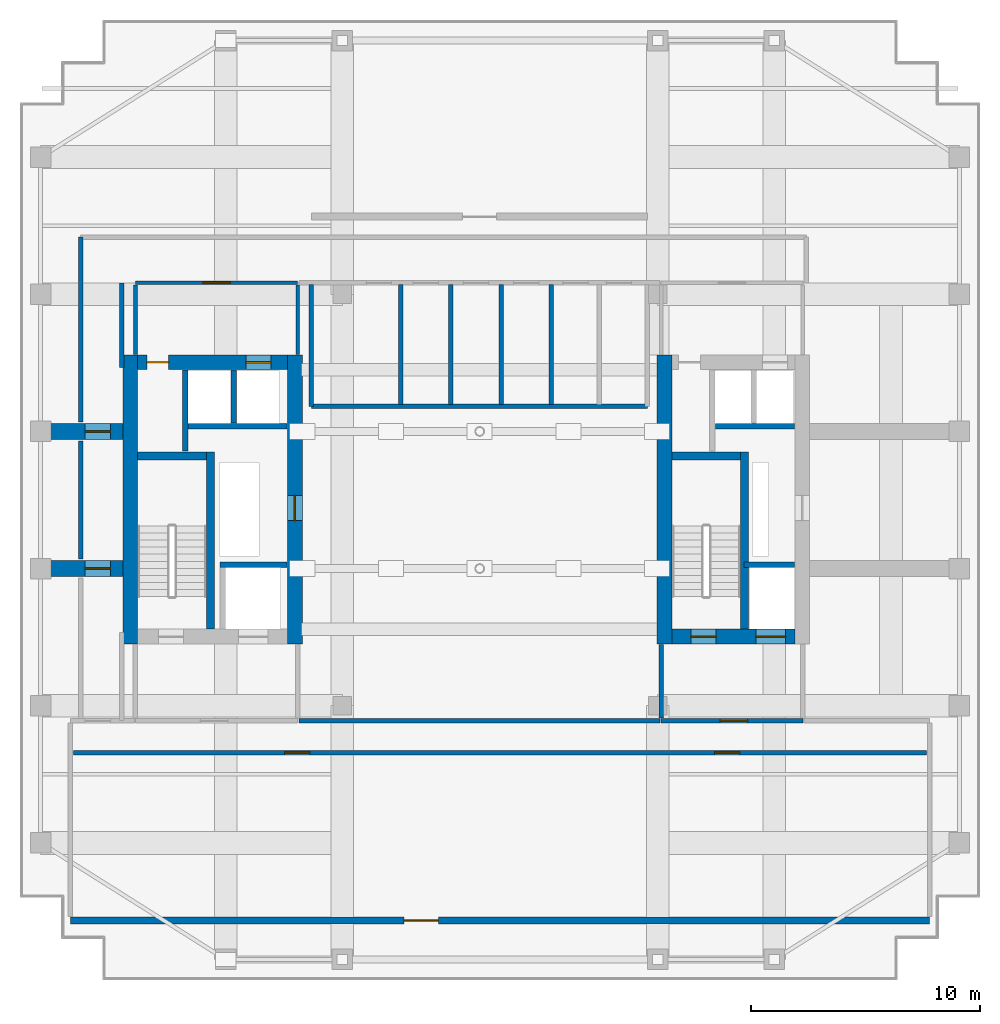
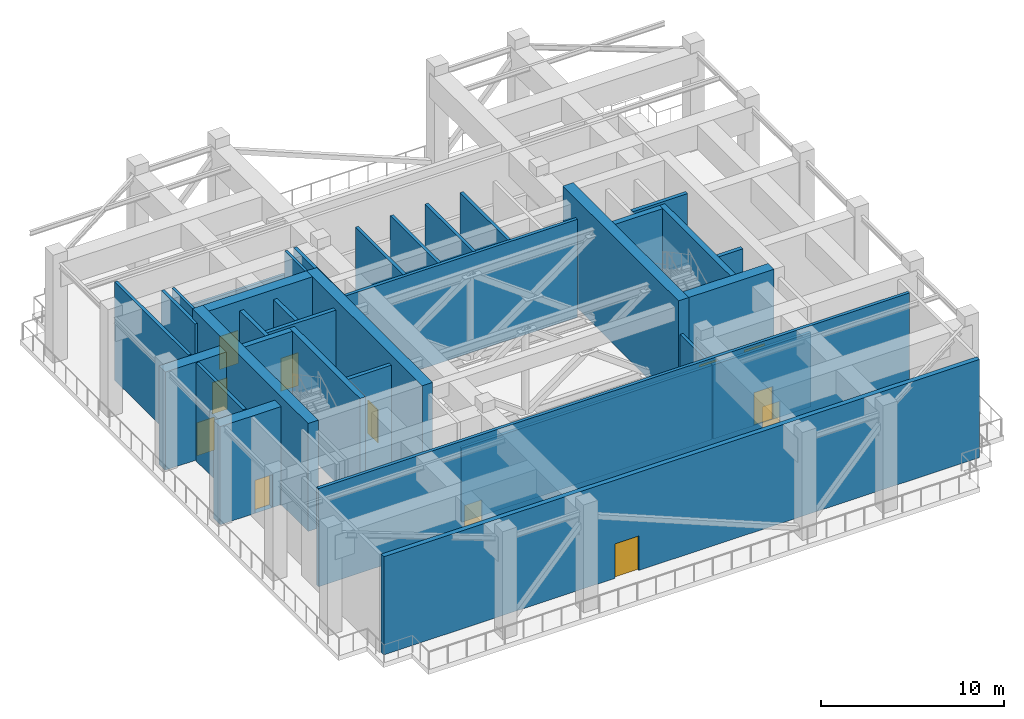
# One storey, part 4 of 9: 34 walls, 12 doors, 12 openings.
"""IFC4 building model written with IfcOpenShell, lengths in metres."""

from ifc_helpers import new_model, si_unit, direction, frame, frame_2d, origin, place, context, subcontext, project, spatial, rectangle, extrude, source, transform, mapped, material, layer, layer_set, type_object, element, fill, save


model = new_model("IFC4")

# Units and contexts
model_context = context("Model", 3, precision=1e-05, world=origin(), true_north=direction((0.0, 1.0)))
body_context = subcontext(model_context, "Body", "Model", "MODEL_VIEW")
ifc_project = project(units=[si_unit("LENGTHUNIT", "METRE"), si_unit("AREAUNIT", "SQUARE_METRE"), si_unit("VOLUMEUNIT", "CUBIC_METRE"), si_unit("PLANEANGLEUNIT", "RADIAN"), si_unit("MASSUNIT", "GRAM", prefix="KILO")], contexts=[model_context])

# Site, building, storey
site_placement = place(None, origin())
site = spatial("IfcSite", under=ifc_project, at=site_placement, CompositionType="ELEMENT")
building_placement = place(site_placement, origin())
building = spatial("IfcBuilding", under=site, at=building_placement, Name="Khoralis Quay Care Tower", CompositionType="ELEMENT")
storey_placement = place(building_placement, frame((0.0, 0.0, 220.5)))
storey = spatial("IfcBuildingStorey", under=building, at=storey_placement, Name="L58", CompositionType="ELEMENT", Elevation=220.5)

# Wall, opening, door
ifc_material_1 = material(Name="Gypsum plasterboard on acoustic metal stud")
ifc_layer_1 = layer(ifc_material_1, 0.199951171875)
ifc_layer_set_1 = layer_set([ifc_layer_1], Name="Gypsum plasterboard on acoustic metal stud")
wall_type_1 = type_object("IfcWallType", Name="WL-COMP-200", PredefinedType="PARTITIONING", material=ifc_layer_set_1)
wall_1_placement = place(storey_placement, frame((31.050048828125, 11.35009765625, 0.0), z_axis=(0.0, 0.0, 1.0), x_axis=(1.0, 0.0, 0.0)))
wall_1 = element("IfcWall", 1, at=wall_1_placement, inside=storey, type_object=wall_type_1, Name="L58 East Firefighting Lobby South Wall", PredefinedType="PARTITIONING", context=body_context, shape_type="SweptSolid", body=[
    extrude(rectangle(XDim=6.199951171875, YDim=0.199951171875, at=frame_2d((3.10009765625, 0.0))), origin(), (0.0, 0.0, 1.0), 4.949951171875),
])
opening_1_placement = place(wall_1_placement, frame((2.585693359375, 0.0, 0.0)))
opening_1 = element("IfcOpeningElement", 2, at=opening_1_placement, cuts=wall_1, Name="Opening FD1", PredefinedType="OPENING", context=body_context, shape_type="SweptSolid", body=[
    extrude(rectangle(XDim=1.199951171875, YDim=2.199951171875, at=frame_2d((0.60009765625, 1.10009765625))), frame((0.0, 0.10986328125, 0.0), z_axis=(0.0, -1.0, 0.0), x_axis=(1.0, 0.0, 0.0)), (0.0, 0.0, 1.0), 0.219970703125),
])
ifc_material_2 = material(Name="Fire-rated painted steel", Category="steel")
door_type_1 = type_object("IfcDoorType", Name="DR-FFL-1200X2200", OperationType="NOTDEFINED", PredefinedType="DOOR", material=ifc_material_2)
shared_shape_1 = source(origin(), body_context, "Body", "SweptSolid", [
    extrude(rectangle(XDim=1.199951171875, YDim=2.199951171875, at=frame_2d((0.60009765625, 1.10009765625))), frame((0.0, 0.02490234375, 0.0), z_axis=(0.0, -1.0, 0.0), x_axis=(1.0, 0.0, 0.0)), (0.0, 0.0, 1.0), 0.050048828125),
])
door_1_placement = place(opening_1_placement, origin())
door_1 = element("IfcDoor", 3, at=door_1_placement, inside=storey, type_object=door_type_1, Name="L58 East Firefighting Lobby Fire Door", OperationType="SINGLE_SWING_LEFT", OverallHeight=2.199951171875, OverallWidth=1.199951171875, PredefinedType="DOOR", context=body_context, shape_type="MappedRepresentation", body=[
    mapped(shared_shape_1, transform((0.0, 0.0, 0.0), scale=1.0)),
])
fill(opening_1, door_1)

# Walls
wall_2_placement = place(storey_placement, frame((31.050048828125, 11.469970703125, 0.0), z_axis=(0.0, 0.0, 1.0), x_axis=(0.0, 1.0, 0.0)))
element("IfcWall", 4, at=wall_2_placement, inside=storey, type_object=wall_type_1, Name="L58 East Firefighting Lobby West Wall", PredefinedType="PARTITIONING", context=body_context, shape_type="SweptSolid", body=[
    extrude(rectangle(XDim=3.2099609375, YDim=0.199951171875, at=frame_2d((1.60498046875, 0.0))), origin(), (0.0, 0.0, 1.0), 4.949951171875),
])
wall_3_placement = place(storey_placement, frame((15.199951171875, 11.35009765625, 0.0), z_axis=(0.0, 0.0, 1.0), x_axis=(1.0, 0.0, 0.0)))
element("IfcWall", 5, at=wall_3_placement, inside=storey, type_object=wall_type_1, Name="L58 Refuge Corridor Mid Wall", PredefinedType="PARTITIONING", context=body_context, shape_type="SweptSolid", body=[
    extrude(rectangle(XDim=15.800048828125, YDim=0.199951171875, at=frame_2d((7.89990234375, 0.0))), origin(), (0.0, 0.0, 1.0), 4.949951171875),
])

# Wall, openings, doors
wall_4_placement = place(storey_placement, frame((5.35009765625, 9.949951171875, 0.0), z_axis=(0.0, 0.0, 1.0), x_axis=(1.0, 0.0, 0.0)))
wall_4 = element("IfcWall", 6, at=wall_4_placement, inside=storey, type_object=wall_type_1, Name="L58 Refuge Corridor Wall", PredefinedType="PARTITIONING", context=body_context, shape_type="SweptSolid", body=[
    extrude(rectangle(XDim=37.2998046875, YDim=0.199951171875, at=frame_2d((18.64990234375, 0.0))), origin(), (0.0, 0.0, 1.0), 6.550048828125),
])
opening_2_placement = place(wall_4_placement, frame((9.22998046875, 0.0, 0.0)))
opening_2 = element("IfcOpeningElement", 7, at=opening_2_placement, cuts=wall_4, Name="Opening SD1", PredefinedType="OPENING", context=body_context, shape_type="SweptSolid", body=[
    extrude(rectangle(XDim=1.10009765625, YDim=2.199951171875, at=frame_2d((0.550048828125, 1.10009765625))), frame((0.0, 0.10986328125, 0.0), z_axis=(0.0, -1.0, 0.0), x_axis=(1.0, 0.0, 0.0)), (0.0, 0.0, 1.0), 0.219970703125),
])
opening_3_placement = place(wall_4_placement, frame((28.034423828125, 0.0, 0.0)))
opening_3 = element("IfcOpeningElement", 8, at=opening_3_placement, cuts=wall_4, Name="Opening SD1", PredefinedType="OPENING", context=body_context, shape_type="SweptSolid", body=[
    extrude(rectangle(XDim=1.10009765625, YDim=2.199951171875, at=frame_2d((0.550048828125, 1.10009765625))), frame((0.0, 0.10986328125, 0.0), z_axis=(0.0, -1.0, 0.0), x_axis=(1.0, 0.0, 0.0)), (0.0, 0.0, 1.0), 0.219970703125),
])
door_type_2 = type_object("IfcDoorType", Name="DR-STAIR-1100X2200", OperationType="NOTDEFINED", PredefinedType="DOOR", material=ifc_material_2)
shared_shape_2 = source(origin(), body_context, "Body", "SweptSolid", [
    extrude(rectangle(XDim=1.10009765625, YDim=2.199951171875, at=frame_2d((0.550048828125, 1.10009765625))), frame((0.0, 0.02490234375, 0.0), z_axis=(0.0, -1.0, 0.0), x_axis=(1.0, 0.0, 0.0)), (0.0, 0.0, 1.0), 0.050048828125),
])
door_2_placement = place(opening_2_placement, frame((1.10009765625, 0.0, 0.0), z_axis=(0.0, 0.0, 1.0), x_axis=(-1.0, 0.0, 0.0)))
door_2 = element("IfcDoor", 9, at=door_2_placement, inside=storey, type_object=door_type_2, Name="L58 Refuge Area West Fire Door", OperationType="SINGLE_SWING_LEFT", OverallHeight=2.199951171875, OverallWidth=1.10009765625, PredefinedType="DOOR", context=body_context, shape_type="MappedRepresentation", body=[
    mapped(shared_shape_2, transform((0.0, 0.0, 0.0), scale=1.0)),
])
fill(opening_2, door_2)
door_3_placement = place(opening_3_placement, frame((1.10009765625, 0.0, 0.0), z_axis=(0.0, 0.0, 1.0), x_axis=(-1.0, 0.0, 0.0)))
door_3 = element("IfcDoor", 10, at=door_3_placement, inside=storey, type_object=door_type_2, Name="L58 Refuge Area East Fire Door", OperationType="SINGLE_SWING_RIGHT", OverallHeight=2.199951171875, OverallWidth=1.10009765625, PredefinedType="DOOR", context=body_context, shape_type="MappedRepresentation", body=[
    mapped(shared_shape_2, transform((0.0, 0.0, 0.0), scale=1.0)),
])
fill(opening_3, door_3)

# Walls
wall_5_placement = place(storey_placement, frame((15.75, 25.10009765625, 0.0), z_axis=(0.0, 0.0, 1.0), x_axis=(1.0, 0.0, 0.0)))
element("IfcWall", 11, at=wall_5_placement, inside=storey, type_object=wall_type_1, Name="L58 Plant Bank South Wall", PredefinedType="PARTITIONING", context=body_context, shape_type="SweptSolid", body=[
    extrude(rectangle(XDim=14.699951171875, YDim=0.199951171875, at=frame_2d((7.35009765625, 0.0))), origin(), (0.0, 0.0, 1.0), 6.550048828125),
])
wall_6_placement = place(storey_placement, frame((15.75, 25.10009765625, 0.0), z_axis=(0.0, 0.0, 1.0), x_axis=(0.0, 1.0, 0.0)))
element("IfcWall", 12, at=wall_6_placement, inside=storey, type_object=wall_type_1, Name="L58 Plant Bank West Wall", PredefinedType="PARTITIONING", context=body_context, shape_type="SweptSolid", body=[
    extrude(rectangle(XDim=5.31982421875, YDim=0.199951171875, at=frame_2d((2.659912109375, 0.0))), origin(), (0.0, 0.0, 1.0), 6.550048828125),
])
for number, where, z_axis, x_axis, name in (
    (13, (19.64990234375, 25.179931640625, 0.0), (0.0, 0.0, 1.0), (0.0, 1.0, 0.0), "L58 Plant Room Divider 1"),
    (14, (21.85009765625, 25.179931640625, 0.0), (0.0, 0.0, 1.0), (0.0, 1.0, 0.0), "L58 Plant Room Divider 2"),
    (15, (24.050048828125, 25.179931640625, 0.0), (0.0, 0.0, 1.0), (0.0, 1.0, 0.0), "L58 Plant Room Divider 3"),
    (16, (26.25, 25.179931640625, 0.0), (0.0, 0.0, 1.0), (0.0, 1.0, 0.0), "L58 Plant Room Divider 4"),
):
    element("IfcWall", number, at=place(storey_placement, frame(where, z_axis=z_axis, x_axis=x_axis)), inside=storey, type_object=wall_type_1, Name=name, PredefinedType="PARTITIONING", context=body_context, shape_type="SweptSolid", body=[
        extrude(rectangle(XDim=5.239990234375, YDim=0.199951171875, at=frame_2d((2.6201171875, 0.0))), origin(), (0.0, 0.0, 1.0), 6.550048828125),
    ])
wall_7_placement = place(storey_placement, frame((5.64990234375, 18.419921875, 0.0), z_axis=(0.0, 0.0, 1.0), x_axis=(0.0, 1.0, 0.0)))
element("IfcWall", 17, at=wall_7_placement, inside=storey, type_object=wall_type_1, Name="L58 West Refuge Link Wall 2", PredefinedType="PARTITIONING", context=body_context, shape_type="SweptSolid", body=[
    extrude(rectangle(XDim=5.16015625, YDim=0.199951171875, at=frame_2d((2.580078125, 0.0))), origin(), (0.0, 0.0, 1.0), 6.550048828125),
])
wall_8_placement = place(storey_placement, frame((5.64990234375, 24.419921875, 0.0), z_axis=(0.0, 0.0, 1.0), x_axis=(0.0, 1.0, 0.0)))
element("IfcWall", 18, at=wall_8_placement, inside=storey, type_object=wall_type_1, Name="L58 West Refuge Link Wall 3", PredefinedType="PARTITIONING", context=body_context, shape_type="SweptSolid", body=[
    extrude(rectangle(XDim=8.080078125, YDim=0.199951171875, at=frame_2d((4.0400390625, 0.0))), origin(), (0.0, 0.0, 1.0), 6.550048828125),
])
wall_9_placement = place(storey_placement, frame((7.449951171875, 26.800048828125, 0.0), z_axis=(0.0, 0.0, 1.0), x_axis=(0.0, 1.0, 0.0)))
element("IfcWall", 19, at=wall_9_placement, inside=storey, type_object=wall_type_1, Name="L58 West Refuge Link Inner Wall 3", PredefinedType="PARTITIONING", context=body_context, shape_type="SweptSolid", body=[
    extrude(rectangle(XDim=3.699951171875, YDim=0.199951171875, at=frame_2d((1.85009765625, 0.0))), origin(), (0.0, 0.0, 1.0), 6.550048828125),
])
ifc_material_3 = material(Name="Concrete C65/80", Category="concrete")
ifc_layer_2 = layer(ifc_material_3, 0.64990234375)
ifc_layer_set_2 = layer_set([ifc_layer_2], Name="Concrete C65/80")
wall_type_2 = type_object("IfcWallType", Name="WL-CORE-650", PredefinedType="SHEAR", material=ifc_layer_set_2)
wall_10_placement = place(storey_placement, frame((7.824951171875, 14.699951171875, 0.0), z_axis=(0.0, 0.0, 1.0), x_axis=(0.0, 1.0, 0.0)))
element("IfcWall", 20, at=wall_10_placement, inside=storey, type_object=wall_type_2, Name="L58 WCORE West Shear Wall", PredefinedType="SHEAR", context=body_context, shape_type="SweptSolid", body=[
    extrude(rectangle(XDim=12.650146484375, YDim=0.64990234375, at=frame_2d((6.3251953125, 0.0))), origin(), (0.0, 0.0, 1.0), 7.199951171875),
])

# Wall, opening, door
wall_11_placement = place(storey_placement, frame((15.02490234375, 14.699951171875, 0.0), z_axis=(0.0, 0.0, 1.0), x_axis=(0.0, 1.0, 0.0)))
wall_11 = element("IfcWall", 21, at=wall_11_placement, inside=storey, type_object=wall_type_2, Name="L58 WCORE East Shear Wall", PredefinedType="SHEAR", context=body_context, shape_type="SweptSolid", body=[
    extrude(rectangle(XDim=12.650146484375, YDim=0.64990234375, at=frame_2d((6.3251953125, 0.0))), origin(), (0.0, 0.0, 1.0), 7.199951171875),
])
opening_4_placement = place(wall_11_placement, frame((5.39990234375, 0.0, 0.0)))
opening_4 = element("IfcOpeningElement", 22, at=opening_4_placement, cuts=wall_11, Name="Opening SD1", PredefinedType="OPENING", context=body_context, shape_type="SweptSolid", body=[
    extrude(rectangle(XDim=1.10009765625, YDim=2.199951171875, at=frame_2d((0.550048828125, 1.10009765625))), frame((0.0, 0.3349609375, 0.0), z_axis=(0.0, -1.0, 0.0), x_axis=(1.0, 0.0, 0.0)), (0.0, 0.0, 1.0), 0.669921875),
])
door_4_placement = place(opening_4_placement, origin())
door_4 = element("IfcDoor", 23, at=door_4_placement, inside=storey, type_object=door_type_2, Name="L58 West MEP Riser Door", OperationType="SINGLE_SWING_RIGHT", OverallHeight=2.199951171875, OverallWidth=1.10009765625, PredefinedType="DOOR", context=body_context, shape_type="MappedRepresentation", body=[
    mapped(shared_shape_2, transform((0.0, 0.0, 0.0), scale=1.0)),
])
fill(opening_4, door_4)

# Wall, openings, doors
wall_12_placement = place(storey_placement, frame((8.14990234375, 27.02490234375, 0.0), z_axis=(0.0, 0.0, 1.0), x_axis=(1.0, 0.0, 0.0)))
wall_12 = element("IfcWall", 24, at=wall_12_placement, inside=storey, type_object=wall_type_2, Name="L58 WCORE North Shear Wall", PredefinedType="SHEAR", context=body_context, shape_type="SweptSolid", body=[
    extrude(rectangle(XDim=6.550048828125, YDim=0.64990234375, at=frame_2d((3.27490234375, 0.0))), origin(), (0.0, 0.0, 1.0), 7.199951171875),
])
opening_5_placement = place(wall_12_placement, frame((0.39990234375, 0.0, 0.0)))
opening_5 = element("IfcOpeningElement", 25, at=opening_5_placement, cuts=wall_12, Name="Opening ID1", PredefinedType="OPENING", context=body_context, shape_type="SweptSolid", body=[
    extrude(rectangle(XDim=0.949951171875, YDim=2.10009765625, at=frame_2d((0.47509765625, 1.050048828125))), frame((0.0, 0.3349609375, 0.0), z_axis=(0.0, -1.0, 0.0), x_axis=(1.0, 0.0, 0.0)), (0.0, 0.0, 1.0), 0.669921875),
])
opening_6_placement = place(wall_12_placement, frame((4.72998046875, 0.0, 0.0)))
opening_6 = element("IfcOpeningElement", 26, at=opening_6_placement, cuts=wall_12, Name="Opening LD1", PredefinedType="OPENING", context=body_context, shape_type="SweptSolid", body=[
    extrude(rectangle(XDim=1.10009765625, YDim=2.199951171875, at=frame_2d((0.550048828125, 1.10009765625))), frame((0.0, 0.3349609375, 0.0), z_axis=(0.0, -1.0, 0.0), x_axis=(1.0, 0.0, 0.0)), (0.0, 0.0, 1.0), 0.669921875),
])
ifc_material_4 = material(Name="Brushed stainless steel", Category="steel")
door_type_3 = type_object("IfcDoorType", Name="DR-LIFT-1100X2200", OperationType="SLIDING_TO_LEFT", PredefinedType="DOOR", material=ifc_material_4)
shared_shape_3 = source(origin(), body_context, "Body", "SweptSolid", [
    extrude(rectangle(XDim=1.10009765625, YDim=2.199951171875, at=frame_2d((0.550048828125, 1.10009765625))), frame((0.0, 0.02490234375, 0.0), z_axis=(0.0, -1.0, 0.0), x_axis=(1.0, 0.0, 0.0)), (0.0, 0.0, 1.0), 0.050048828125),
])
door_5_placement = place(opening_6_placement, origin())
door_5 = element("IfcDoor", 27, at=door_5_placement, inside=storey, type_object=door_type_3, Name="L58 Lift PLH1 Landing Door", OperationType="SLIDING_TO_LEFT", OverallHeight=2.199951171875, OverallWidth=1.10009765625, PredefinedType="DOOR", context=body_context, shape_type="MappedRepresentation", body=[
    mapped(shared_shape_3, transform((0.0, 0.0, 0.0), scale=1.0)),
])
fill(opening_6, door_5)
ifc_material_5 = material(Name="Acoustic hardwood timber", Category="wood")
door_type_4 = type_object("IfcDoorType", Name="DR-ROOM-950X2100", OperationType="NOTDEFINED", PredefinedType="DOOR", material=ifc_material_5)
shared_shape_4 = source(origin(), body_context, "Body", "SweptSolid", [
    extrude(rectangle(XDim=0.949951171875, YDim=2.10009765625, at=frame_2d((0.47509765625, 1.050048828125))), frame((0.0, 0.02490234375, 0.0), z_axis=(0.0, -1.0, 0.0), x_axis=(1.0, 0.0, 0.0)), (0.0, 0.0, 1.0), 0.050048828125),
])
door_6_placement = place(opening_5_placement, frame((0.949951171875, 0.0, 0.0), z_axis=(0.0, 0.0, 1.0), x_axis=(-1.0, 0.0, 0.0)))
door_6 = element("IfcDoor", 28, at=door_6_placement, inside=storey, type_object=door_type_4, Name="L58 Medication Room Door", OperationType="SINGLE_SWING_RIGHT", OverallHeight=2.10009765625, OverallWidth=0.949951171875, PredefinedType="DOOR", context=body_context, shape_type="MappedRepresentation", body=[
    mapped(shared_shape_4, transform((0.0, 0.0, 0.0), scale=1.0)),
])
fill(opening_5, door_6)

# Wall
wall_13_placement = place(storey_placement, frame((31.195068359375, 14.699951171875, 0.0), z_axis=(0.0, 0.0, 1.0), x_axis=(0.0, 1.0, 0.0)))
element("IfcWall", 29, at=wall_13_placement, inside=storey, type_object=wall_type_2, Name="L58 ECORE West Shear Wall", PredefinedType="SHEAR", context=body_context, shape_type="SweptSolid", body=[
    extrude(rectangle(XDim=12.650146484375, YDim=0.64990234375, at=frame_2d((6.3251953125, 0.0))), origin(), (0.0, 0.0, 1.0), 7.199951171875),
])

# Wall, openings, doors
wall_14_placement = place(storey_placement, frame((31.52001953125, 15.02490234375, 0.0), z_axis=(0.0, 0.0, 1.0), x_axis=(1.0, 0.0, 0.0)))
wall_14 = element("IfcWall", 30, at=wall_14_placement, inside=storey, type_object=wall_type_2, Name="L58 ECORE South Shear Wall", PredefinedType="SHEAR", context=body_context, shape_type="SweptSolid", body=[
    extrude(rectangle(XDim=5.3798828125, YDim=0.64990234375, at=frame_2d((2.68994140625, 0.0))), origin(), (0.0, 0.0, 1.0), 7.199951171875),
])
opening_7_placement = place(wall_14_placement, frame((0.830078125, 0.0, 0.0)))
opening_7 = element("IfcOpeningElement", 31, at=opening_7_placement, cuts=wall_14, Name="Opening SD1", PredefinedType="OPENING", context=body_context, shape_type="SweptSolid", body=[
    extrude(rectangle(XDim=1.10009765625, YDim=2.199951171875, at=frame_2d((0.550048828125, 1.10009765625))), frame((0.0, 0.3349609375, 0.0), z_axis=(0.0, -1.0, 0.0), x_axis=(1.0, 0.0, 0.0)), (0.0, 0.0, 1.0), 0.669921875),
])
opening_8_placement = place(wall_14_placement, frame((3.679931640625, 0.0, 0.0)))
opening_8 = element("IfcOpeningElement", 32, at=opening_8_placement, cuts=wall_14, Name="Opening LD2", PredefinedType="OPENING", context=body_context, shape_type="SweptSolid", body=[
    extrude(rectangle(XDim=1.300048828125, YDim=2.199951171875, at=frame_2d((0.64990234375, 1.10009765625))), frame((0.0, 0.3349609375, 0.0), z_axis=(0.0, -1.0, 0.0), x_axis=(1.0, 0.0, 0.0)), (0.0, 0.0, 1.0), 0.669921875),
])
door_7_placement = place(opening_7_placement, origin())
door_7 = element("IfcDoor", 33, at=door_7_placement, inside=storey, type_object=door_type_2, Name="L58 Stair ST-T2 Fire Door", OperationType="SINGLE_SWING_LEFT", OverallHeight=2.199951171875, OverallWidth=1.10009765625, PredefinedType="DOOR", context=body_context, shape_type="MappedRepresentation", body=[
    mapped(shared_shape_2, transform((0.0, 0.0, 0.0), scale=1.0)),
])
fill(opening_7, door_7)
door_type_5 = type_object("IfcDoorType", Name="DR-LIFT-1300X2200", OperationType="SLIDING_TO_RIGHT", PredefinedType="DOOR", material=ifc_material_4)
shared_shape_5 = source(origin(), body_context, "Body", "SweptSolid", [
    extrude(rectangle(XDim=1.300048828125, YDim=2.199951171875, at=frame_2d((0.64990234375, 1.10009765625))), frame((0.0, 0.02490234375, 0.0), z_axis=(0.0, -1.0, 0.0), x_axis=(1.0, 0.0, 0.0)), (0.0, 0.0, 1.0), 0.050048828125),
])
door_8_placement = place(opening_8_placement, origin())
door_8 = element("IfcDoor", 34, at=door_8_placement, inside=storey, type_object=door_type_5, Name="L58 Firefighting Lift FFL-2 Landing Door", OperationType="SLIDING_TO_RIGHT", OverallHeight=2.199951171875, OverallWidth=1.300048828125, PredefinedType="DOOR", context=body_context, shape_type="MappedRepresentation", body=[
    mapped(shared_shape_5, transform((0.0, 0.0, 0.0), scale=1.0)),
])
fill(opening_8, door_8)

# Wall, opening, door
ifc_layer_3 = layer(ifc_material_1, 0.1650390625)
ifc_layer_set_3 = layer_set([ifc_layer_3], Name="Gypsum plasterboard on acoustic metal stud")
wall_type_3 = type_object("IfcWallType", Name="WL-CORR-165", PredefinedType="PARTITIONING", material=ifc_layer_set_3)
wall_15_placement = place(storey_placement, frame((8.050048828125, 30.5, 0.0), z_axis=(0.0, 0.0, 1.0), x_axis=(1.0, 0.0, 0.0)))
wall_15 = element("IfcWall", 35, at=wall_15_placement, inside=storey, type_object=wall_type_3, Name="L58 West Lift Lobby North Wall", PredefinedType="PARTITIONING", context=body_context, shape_type="SweptSolid", body=[
    extrude(rectangle(XDim=7.099853515625, YDim=0.1650390625, at=frame_2d((3.5498046875, 0.0))), origin(), (0.0, 0.0, 1.0), 4.949951171875),
])
opening_9_placement = place(wall_15_placement, frame((2.949951171875, 0.0, 0.0)))
opening_9 = element("IfcOpeningElement", 36, at=opening_9_placement, cuts=wall_15, Name="Opening FD1", PredefinedType="OPENING", context=body_context, shape_type="SweptSolid", body=[
    extrude(rectangle(XDim=1.199951171875, YDim=2.199951171875, at=frame_2d((0.60009765625, 1.10009765625))), frame((0.0, 0.092529296875, 0.0), z_axis=(0.0, -1.0, 0.0), x_axis=(1.0, 0.0, 0.0)), (0.0, 0.0, 1.0), 0.18505859375),
])
door_9_placement = place(opening_9_placement, origin())
door_9 = element("IfcDoor", 37, at=door_9_placement, inside=storey, type_object=door_type_1, Name="L58 West Lift Lobby Double Door", OperationType="DOUBLE_DOOR_SINGLE_SWING", OverallHeight=2.199951171875, OverallWidth=1.199951171875, PredefinedType="DOOR", context=body_context, shape_type="MappedRepresentation", body=[
    mapped(shared_shape_1, transform((0.0, 0.0, 0.0), scale=1.0)),
])
fill(opening_9, door_9)

# Walls
for number, where, z_axis, x_axis, name in (
    (38, (8.050048828125, 27.3701171875, 0.0), (0.0, 0.0, 1.0), (0.0, 1.0, 0.0), "L58 West Lift Lobby West Wall"),
    (39, (15.14990234375, 27.3701171875, 0.0), (0.0, 0.0, 1.0), (0.0, 1.0, 0.0), "L58 West Lift Lobby East Wall"),
):
    element("IfcWall", number, at=place(storey_placement, frame(where, z_axis=z_axis, x_axis=x_axis)), inside=storey, type_object=wall_type_3, Name=name, PredefinedType="PARTITIONING", context=body_context, shape_type="SweptSolid", body=[
        extrude(rectangle(XDim=3.02978515625, YDim=0.1650390625, at=frame_2d((1.514892578125, 0.0))), origin(), (0.0, 0.0, 1.0), 6.550048828125),
    ])

# Wall, opening, door
ifc_material_6 = material(Name="Precast concrete C45/55", Category="concrete")
ifc_layer_4 = layer(ifc_material_6, 0.300048828125)
ifc_layer_set_4 = layer_set([ifc_layer_4], Name="Precast concrete C45/55")
wall_type_4 = type_object("IfcWallType", Name="WL-EXT-REF-300", PredefinedType="SOLIDWALL", material=ifc_layer_set_4)
wall_16_placement = place(storey_placement, frame((5.199951171875, 2.60009765625, 0.0), z_axis=(0.0, 0.0, 1.0), x_axis=(1.0, 0.0, 0.0)))
wall_16 = element("IfcWall", 40, at=wall_16_placement, inside=storey, type_object=wall_type_4, Name="L58 External Facade Wall WL-L58-REF-S", PredefinedType="SOLIDWALL", context=body_context, shape_type="SweptSolid", body=[
    extrude(rectangle(XDim=37.60009765625, YDim=0.300048828125, at=frame_2d((18.800048828125, 0.0))), origin(), (0.0, 0.0, 1.0), 6.550048828125),
])
opening_10_placement = place(wall_16_placement, frame((14.60009765625, 0.0, 0.0)))
opening_10 = element("IfcOpeningElement", 41, at=opening_10_placement, cuts=wall_16, Name="Opening TD1", PredefinedType="OPENING", context=body_context, shape_type="SweptSolid", body=[
    extrude(rectangle(XDim=1.5, YDim=2.300048828125, at=frame_2d((0.75, 1.14990234375))), frame((0.0, 0.16015625, 0.0), z_axis=(0.0, -1.0, 0.0), x_axis=(1.0, 0.0, 0.0)), (0.0, 0.0, 1.0), 0.320068359375),
])
ifc_material_7 = material(Name="Anodised aluminium and laminated safety glass", Category="aluminium")
door_type_6 = type_object("IfcDoorType", Name="DR-EXT-TERR-1500X2300", OperationType="NOTDEFINED", PredefinedType="DOOR", material=ifc_material_7)
shared_shape_6 = source(origin(), body_context, "Body", "SweptSolid", [
    extrude(rectangle(XDim=1.5, YDim=2.300048828125, at=frame_2d((0.75, 1.14990234375))), frame((0.0, 0.02490234375, 0.0), z_axis=(0.0, -1.0, 0.0), x_axis=(1.0, 0.0, 0.0)), (0.0, 0.0, 1.0), 0.050048828125),
])
door_10_placement = place(opening_10_placement, frame((1.5, 0.0, 0.0), z_axis=(0.0, 0.0, 1.0), x_axis=(-1.0, 0.0, 0.0)))
door_10 = element("IfcDoor", 42, at=door_10_placement, inside=storey, type_object=door_type_6, Name="L58 Wind-Slot Deck Door South", OperationType="DOUBLE_DOOR_SINGLE_SWING", OverallHeight=2.300048828125, OverallWidth=1.5, PredefinedType="DOOR", context=body_context, shape_type="MappedRepresentation", body=[
    mapped(shared_shape_6, transform((0.0, 0.0, 0.0), scale=1.0)),
])
fill(opening_10, door_10)

ifc_layer_5 = layer(ifc_material_3, 0.699951171875)
ifc_layer_set_5 = layer_set([ifc_layer_5], Name="Concrete C65/80")
wall_type_5 = type_object("IfcWallType", Name="WL-OUTRIGGER-700", PredefinedType="SOLIDWALL", material=ifc_layer_set_5)
wall_17_placement = place(storey_placement, frame((3.64990234375, 18.0, 0.0), z_axis=(0.0, 0.0, 1.0), x_axis=(1.0, 0.0, 0.0)))
wall_17 = element("IfcWall", 43, at=wall_17_placement, inside=storey, type_object=wall_type_5, Name="L58 West Outrigger Wall S", PredefinedType="SOLIDWALL", context=body_context, shape_type="SweptSolid", body=[
    extrude(rectangle(XDim=3.85009765625, YDim=0.699951171875, at=frame_2d((1.925048828125, 0.0))), origin(), (0.0, 0.0, 1.0), 6.550048828125),
])
opening_11_placement = place(wall_17_placement, frame((2.199951171875, 0.0, 0.0)))
opening_11 = element("IfcOpeningElement", 44, at=opening_11_placement, cuts=wall_17, Name="Opening SD1", PredefinedType="OPENING", context=body_context, shape_type="SweptSolid", body=[
    extrude(rectangle(XDim=1.10009765625, YDim=2.199951171875, at=frame_2d((0.550048828125, 1.10009765625))), frame((0.0, 0.35986328125, 0.0), z_axis=(0.0, -1.0, 0.0), x_axis=(1.0, 0.0, 0.0)), (0.0, 0.0, 1.0), 0.719970703125),
])
door_11_placement = place(opening_11_placement, frame((1.10009765625, 0.0, 0.0), z_axis=(0.0, 0.0, 1.0), x_axis=(-1.0, 0.0, 0.0)))
door_11 = element("IfcDoor", 45, at=door_11_placement, inside=storey, type_object=door_type_2, Name="L58 West Outrigger South Egress Fire Door", OperationType="SINGLE_SWING_LEFT", OverallHeight=2.199951171875, OverallWidth=1.10009765625, PredefinedType="DOOR", context=body_context, shape_type="MappedRepresentation", body=[
    mapped(shared_shape_2, transform((0.0, 0.0, 0.0), scale=1.0)),
])
fill(opening_11, door_11)

wall_18_placement = place(storey_placement, frame((3.64990234375, 24.0, 0.0), z_axis=(0.0, 0.0, 1.0), x_axis=(1.0, 0.0, 0.0)))
wall_18 = element("IfcWall", 46, at=wall_18_placement, inside=storey, type_object=wall_type_5, Name="L58 West Outrigger Wall N", PredefinedType="SOLIDWALL", context=body_context, shape_type="SweptSolid", body=[
    extrude(rectangle(XDim=3.85009765625, YDim=0.699951171875, at=frame_2d((1.925048828125, 0.0))), origin(), (0.0, 0.0, 1.0), 6.550048828125),
])
opening_12_placement = place(wall_18_placement, frame((2.199951171875, 0.0, 0.0)))
opening_12 = element("IfcOpeningElement", 47, at=opening_12_placement, cuts=wall_18, Name="Opening SD1", PredefinedType="OPENING", context=body_context, shape_type="SweptSolid", body=[
    extrude(rectangle(XDim=1.10009765625, YDim=2.199951171875, at=frame_2d((0.550048828125, 1.10009765625))), frame((0.0, 0.35986328125, 0.0), z_axis=(0.0, -1.0, 0.0), x_axis=(1.0, 0.0, 0.0)), (0.0, 0.0, 1.0), 0.719970703125),
])
door_12_placement = place(opening_12_placement, origin())
door_12 = element("IfcDoor", 48, at=door_12_placement, inside=storey, type_object=door_type_2, Name="L58 West Outrigger North Egress Fire Door", OperationType="SINGLE_SWING_RIGHT", OverallHeight=2.199951171875, OverallWidth=1.10009765625, PredefinedType="DOOR", context=body_context, shape_type="MappedRepresentation", body=[
    mapped(shared_shape_2, transform((0.0, 0.0, 0.0), scale=1.0)),
])
fill(opening_12, door_12)

# Walls
ifc_material_8 = material(Name="Concrete C40/50", Category="concrete")
ifc_layer_6 = layer(ifc_material_8, 0.35009765625)
ifc_layer_set_6 = layer_set([ifc_layer_6], Name="Concrete C40/50")
wall_type_6 = type_object("IfcWallType", Name="WL-SC-CORE-350", PredefinedType="SHEAR", material=ifc_layer_set_6)
wall_19_placement = place(storey_placement, frame((11.324951171875, 15.35009765625, 0.0), z_axis=(0.0, 0.0, 1.0), x_axis=(0.0, 1.0, 0.0)))
element("IfcWall", 49, at=wall_19_placement, inside=storey, type_object=wall_type_6, Name="L58 Stair ST-T1 Shear Baffle Wall East", PredefinedType="SHEAR", context=body_context, shape_type="SweptSolid", body=[
    extrude(rectangle(XDim=7.75, YDim=0.35009765625, at=frame_2d((3.875, 0.0))), origin(), (0.0, 0.0, 1.0), 7.199951171875),
])
wall_20_placement = place(storey_placement, frame((8.14990234375, 22.925048828125, 0.0), z_axis=(0.0, 0.0, 1.0), x_axis=(1.0, 0.0, 0.0)))
element("IfcWall", 50, at=wall_20_placement, inside=storey, type_object=wall_type_6, Name="L58 Stair ST-T1 Shear Baffle Wall North", PredefinedType="SHEAR", context=body_context, shape_type="SweptSolid", body=[
    extrude(rectangle(XDim=3.0, YDim=0.35009765625, at=frame_2d((1.5, 0.0))), origin(), (0.0, 0.0, 1.0), 7.199951171875),
])
wall_21_placement = place(storey_placement, frame((34.695068359375, 15.35009765625, 0.0), z_axis=(0.0, 0.0, 1.0), x_axis=(0.0, 1.0, 0.0)))
element("IfcWall", 51, at=wall_21_placement, inside=storey, type_object=wall_type_6, Name="L58 Stair ST-T2 Shear Baffle Wall East", PredefinedType="SHEAR", context=body_context, shape_type="SweptSolid", body=[
    extrude(rectangle(XDim=7.75, YDim=0.35009765625, at=frame_2d((3.875, 0.0))), origin(), (0.0, 0.0, 1.0), 7.199951171875),
])
wall_22_placement = place(storey_placement, frame((31.52001953125, 22.925048828125, 0.0), z_axis=(0.0, 0.0, 1.0), x_axis=(1.0, 0.0, 0.0)))
element("IfcWall", 52, at=wall_22_placement, inside=storey, type_object=wall_type_6, Name="L58 Stair ST-T2 Shear Baffle Wall North", PredefinedType="SHEAR", context=body_context, shape_type="SweptSolid", body=[
    extrude(rectangle(XDim=3.0, YDim=0.35009765625, at=frame_2d((1.5, 0.0))), origin(), (0.0, 0.0, 1.0), 7.199951171875),
])
ifc_layer_7 = layer(ifc_material_1, 0.239990234375)
ifc_layer_set_7 = layer_set([ifc_layer_7], Name="Gypsum plasterboard on acoustic metal stud")
wall_type_7 = type_object("IfcWallType", Name="WL-SHAFT-240", PredefinedType="PARTITIONING", material=ifc_layer_set_7)
wall_23_placement = place(storey_placement, frame((11.760009765625, 18.169921875, 0.0), z_axis=(0.0, 0.0, 1.0), x_axis=(1.0, 0.0, 0.0)))
element("IfcWall", 53, at=wall_23_placement, inside=storey, type_object=wall_type_7, Name="L58 FFL-1 Shaft Wall North", PredefinedType="PARTITIONING", context=body_context, shape_type="SweptSolid", body=[
    extrude(rectangle(XDim=2.919921875, YDim=0.239990234375, at=frame_2d((1.4599609375, 0.0))), origin(), (0.0, 0.0, 1.0), 6.550048828125),
])
wall_24_placement = place(storey_placement, frame((34.679931640625, 18.169921875, 0.0), z_axis=(0.0, 0.0, 1.0), x_axis=(1.0, 0.0, 0.0)))
element("IfcWall", 54, at=wall_24_placement, inside=storey, type_object=wall_type_7, Name="L58 FFL-2 Shaft Wall North", PredefinedType="PARTITIONING", context=body_context, shape_type="SweptSolid", body=[
    extrude(rectangle(XDim=2.199951171875, YDim=0.239990234375, at=frame_2d((1.10009765625, 0.0))), origin(), (0.0, 0.0, 1.0), 6.550048828125),
])
wall_25_placement = place(storey_placement, frame((10.219970703125, 23.139892578125, 0.0), z_axis=(0.0, 0.0, 1.0), x_axis=(0.0, 1.0, 0.0)))
element("IfcWall", 55, at=wall_25_placement, inside=storey, type_object=wall_type_7, Name="L58 Reclaimed Bay Divider West", PredefinedType="PARTITIONING", context=body_context, shape_type="SweptSolid", body=[
    extrude(rectangle(XDim=3.5400390625, YDim=0.239990234375, at=frame_2d((1.77001953125, 0.0))), origin(), (0.0, 0.0, 1.0), 6.550048828125),
])
wall_26_placement = place(storey_placement, frame((10.35009765625, 24.22998046875, 0.0), z_axis=(0.0, 0.0, 1.0), x_axis=(1.0, 0.0, 0.0)))
element("IfcWall", 56, at=wall_26_placement, inside=storey, type_object=wall_type_7, Name="L58 Active Shaft South Wall West", PredefinedType="PARTITIONING", context=body_context, shape_type="SweptSolid", body=[
    extrude(rectangle(XDim=4.329833984375, YDim=0.239990234375, at=frame_2d((2.1650390625, 0.0))), origin(), (0.0, 0.0, 1.0), 6.550048828125),
])
wall_27_placement = place(storey_placement, frame((12.35009765625, 24.360107421875, 0.0), z_axis=(0.0, 0.0, 1.0), x_axis=(0.0, 1.0, 0.0)))
element("IfcWall", 57, at=wall_27_placement, inside=storey, type_object=wall_type_7, Name="L58 West Shaft Divider 2", PredefinedType="PARTITIONING", context=body_context, shape_type="SweptSolid", body=[
    extrude(rectangle(XDim=2.31982421875, YDim=0.239990234375, at=frame_2d((1.159912109375, 0.0))), origin(), (0.0, 0.0, 1.0), 6.550048828125),
])
wall_28_placement = place(storey_placement, frame((33.419921875, 24.22998046875, 0.0), z_axis=(0.0, 0.0, 1.0), x_axis=(1.0, 0.0, 0.0)))
element("IfcWall", 58, at=wall_28_placement, inside=storey, type_object=wall_type_7, Name="L58 Active Shaft South Wall East", PredefinedType="PARTITIONING", context=body_context, shape_type="SweptSolid", body=[
    extrude(rectangle(XDim=3.4599609375, YDim=0.239990234375, at=frame_2d((1.72998046875, 0.0))), origin(), (0.0, 0.0, 1.0), 6.550048828125),
])

save(model, "model.ifc")
